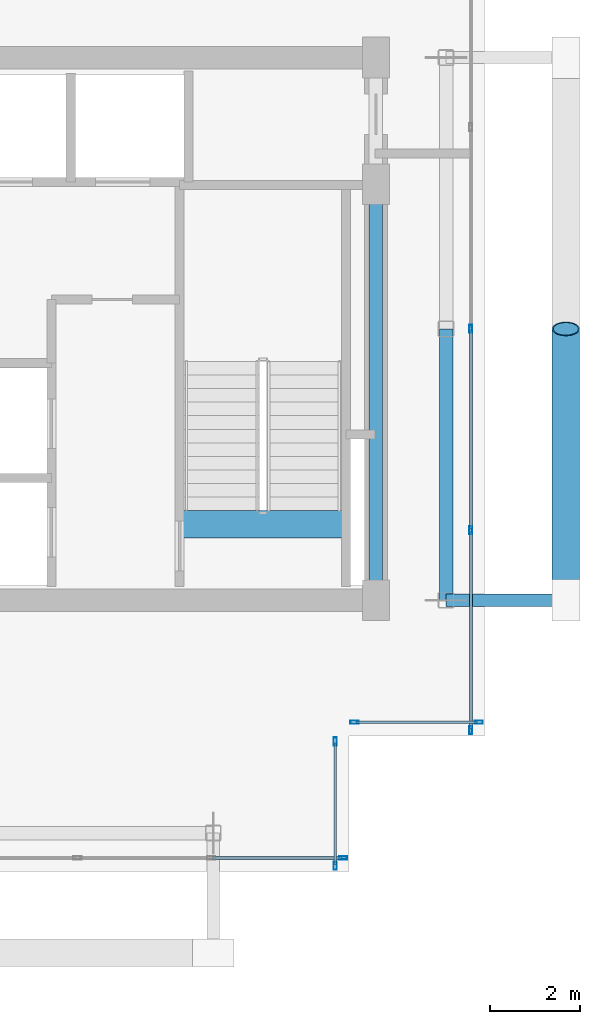
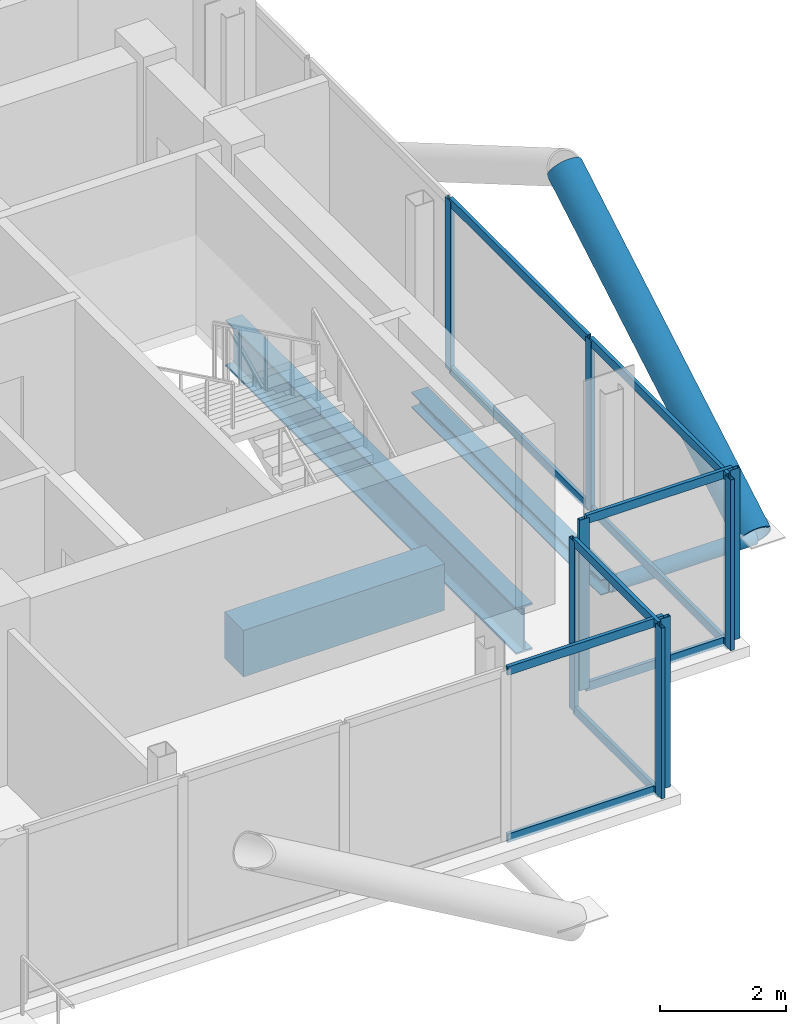
# One storey, part 11 of 18: 20 members, 3 beams, 4 elements without a shape of their own.
"""IFC4 building model written with IfcOpenShell, lengths in metres."""

from ifc_helpers import new_model, si_unit, direction, frame, origin, origin_2d, place, context, subcontext, project, spatial, rectangle, hollow_rectangle, hollow_circle, i_section, extrude, material, layer, layer_set, material_profile, profile_set, type_object, element, aggregate, save


model = new_model("IFC4")

# Units and contexts
model_context = context("Model", 3, precision=1e-05, world=origin(), true_north=direction((0.0, 1.0)))
body_context = subcontext(model_context, "Body", "Model", "MODEL_VIEW")
ifc_project = project(units=[si_unit("LENGTHUNIT", "METRE"), si_unit("AREAUNIT", "SQUARE_METRE"), si_unit("VOLUMEUNIT", "CUBIC_METRE"), si_unit("PLANEANGLEUNIT", "RADIAN"), si_unit("MASSUNIT", "GRAM", prefix="KILO"), si_unit("THERMODYNAMICTEMPERATUREUNIT", "KELVIN"), si_unit("POWERUNIT", "WATT")], contexts=[model_context])

# Site, building, storey
site_placement = place(None, origin())
site = spatial("IfcSite", under=ifc_project, at=site_placement, CompositionType="ELEMENT")
building_placement = place(site_placement, origin())
building = spatial("IfcBuilding", under=site, at=building_placement, Name="Svarakhadi Broadcast Tower", CompositionType="ELEMENT")
storey_placement = place(building_placement, frame((0.0, 0.0, 250.199951171875)))
storey = spatial("IfcBuildingStorey", under=building, at=storey_placement, Name="L62", CompositionType="ELEMENT", Elevation=250.199951171875)

# Curtain wall, members
ifc_material_1 = material(Name="Anodised Bronze Aluminium AA 6063-T6", Category="aluminium")
ifc_layer = layer(ifc_material_1, 0.179931640625)
ifc_layer_set = layer_set([ifc_layer], Name="Anodised Bronze Aluminium AA 6063-T6")
curtain_wall_type = type_object("IfcCurtainWallType", Name="CW_Sys_05", PredefinedType="NOTDEFINED", material=ifc_layer_set)
curtain_wall_1_placement = place(storey_placement, origin())
curtain_wall_1 = element("IfcCurtainWall", 1, at=curtain_wall_1_placement, inside=storey, type_object=curtain_wall_type, Name="L62 Unitised Facade Curtain Wall 13", PredefinedType="NOTDEFINED")
ifc_material_profile_1 = material_profile(ifc_material_1, hollow_rectangle(XDim=0.070068359375, YDim=0.179931640625, WallThickness=0.005615234375, at=origin_2d()), Name="ALU MULLION 180x70x6")
ifc_profile_set_1 = profile_set([ifc_material_profile_1], Name="Anodised Bronze Aluminium AA 6063-T6")
member_type_1 = type_object("IfcMemberType", Name="CW_Sys_05_Mul", PredefinedType="MULLION", material=ifc_profile_set_1)
member_1_placement = place(storey_placement, frame((35.699951171875, 12.0, 0.0), z_axis=(0.0, 0.0, 1.0), x_axis=(1.0, 0.0, 0.0)))
member_1 = element("IfcMember", 2, at=member_1_placement, type_object=member_type_1, Name="CW-05 mullion 3", PredefinedType="MULLION", context=body_context, shape_type="SweptSolid", body=[
    extrude(hollow_rectangle(XDim=0.070068359375, YDim=0.179931640625, WallThickness=0.005615234375, at=origin_2d()), origin(), (0.0, 0.0, 1.0), 3.300048828125),
])
member_2_placement = place(storey_placement, frame((35.699951171875, 7.544921875, 0.0), z_axis=(0.0, 0.0, 1.0), x_axis=(1.0, 0.0, 0.0)))
member_2 = element("IfcMember", 3, at=member_2_placement, type_object=member_type_1, Name="CW-05 mullion 4", PredefinedType="MULLION", context=body_context, shape_type="SweptSolid", body=[
    extrude(hollow_rectangle(XDim=0.070068359375, YDim=0.179931640625, WallThickness=0.005615234375, at=origin_2d()), origin(), (0.0, 0.0, 1.0), 3.300048828125),
])
member_3_placement = place(storey_placement, frame((35.699951171875, 3.125, 0.0), z_axis=(0.0, 0.0, 1.0), x_axis=(1.0, 0.0, 0.0)))
member_3 = element("IfcMember", 4, at=member_3_placement, type_object=member_type_1, Name="CW-05 mullion 5", PredefinedType="MULLION", context=body_context, shape_type="SweptSolid", body=[
    extrude(hollow_rectangle(XDim=0.070068359375, YDim=0.179931640625, WallThickness=0.005615234375, at=origin_2d()), origin(), (0.0, 0.0, 1.0), 3.300048828125),
])

curtain_wall_2_placement = place(storey_placement, origin())
curtain_wall_2 = element("IfcCurtainWall", 5, at=curtain_wall_2_placement, inside=storey, type_object=curtain_wall_type, Name="L62 Unitised Facade Curtain Wall 14", PredefinedType="NOTDEFINED")
member_4_placement = place(storey_placement, frame((35.875, 3.300048828125, 0.0), z_axis=(0.0, 0.0, 1.0), x_axis=(0.0, -1.0, 0.0)))
member_4 = element("IfcMember", 6, at=member_4_placement, type_object=member_type_1, Name="CW-05 mullion 1", PredefinedType="MULLION", context=body_context, shape_type="SweptSolid", body=[
    extrude(hollow_rectangle(XDim=0.070068359375, YDim=0.179931640625, WallThickness=0.005615234375, at=origin_2d()), origin(), (0.0, 0.0, 1.0), 3.300048828125),
])
member_5_placement = place(storey_placement, frame((33.125, 3.300048828125, 0.0), z_axis=(0.0, 0.0, 1.0), x_axis=(0.0, -1.0, 0.0)))
member_5 = element("IfcMember", 7, at=member_5_placement, type_object=member_type_1, Name="CW-05 mullion 2", PredefinedType="MULLION", context=body_context, shape_type="SweptSolid", body=[
    extrude(hollow_rectangle(XDim=0.070068359375, YDim=0.179931640625, WallThickness=0.005615234375, at=origin_2d()), origin(), (0.0, 0.0, 1.0), 3.300048828125),
])

curtain_wall_3_placement = place(storey_placement, origin())
curtain_wall_3 = element("IfcCurtainWall", 8, at=curtain_wall_3_placement, inside=storey, type_object=curtain_wall_type, Name="L62 Unitised Facade Curtain Wall 15", PredefinedType="NOTDEFINED")
member_6_placement = place(storey_placement, frame((32.699951171875, 2.875, 0.0), z_axis=(0.0, 0.0, 1.0), x_axis=(1.0, 0.0, 0.0)))
member_6 = element("IfcMember", 9, at=member_6_placement, type_object=member_type_1, Name="CW-05 mullion 1", PredefinedType="MULLION", context=body_context, shape_type="SweptSolid", body=[
    extrude(hollow_rectangle(XDim=0.070068359375, YDim=0.179931640625, WallThickness=0.005615234375, at=origin_2d()), origin(), (0.0, 0.0, 1.0), 3.300048828125),
])
member_7_placement = place(storey_placement, frame((32.699951171875, 0.125, 0.0), z_axis=(0.0, 0.0, 1.0), x_axis=(1.0, 0.0, 0.0)))
member_7 = element("IfcMember", 10, at=member_7_placement, type_object=member_type_1, Name="CW-05 mullion 2", PredefinedType="MULLION", context=body_context, shape_type="SweptSolid", body=[
    extrude(hollow_rectangle(XDim=0.070068359375, YDim=0.179931640625, WallThickness=0.005615234375, at=origin_2d()), origin(), (0.0, 0.0, 1.0), 3.300048828125),
])

# Curtain wall, member
curtain_wall_4_placement = place(storey_placement, origin())
curtain_wall_4 = element("IfcCurtainWall", 11, at=curtain_wall_4_placement, inside=storey, type_object=curtain_wall_type, Name="L62 South Curtain Wall 16", PredefinedType="NOTDEFINED")
member_8_placement = place(storey_placement, frame((32.875, 0.300048828125, 0.0), z_axis=(0.0, 0.0, 1.0), x_axis=(0.0, -1.0, 0.0)))
member_8 = element("IfcMember", 12, at=member_8_placement, type_object=member_type_1, Name="CW-05 mullion 1", PredefinedType="MULLION", context=body_context, shape_type="SweptSolid", body=[
    extrude(hollow_rectangle(XDim=0.070068359375, YDim=0.179931640625, WallThickness=0.005615234375, at=origin_2d()), origin(), (0.0, 0.0, 1.0), 3.300048828125),
])

# Member
ifc_material_profile_2 = material_profile(ifc_material_1, hollow_rectangle(XDim=0.06494140625, YDim=0.1650390625, WallThickness=0.0048828125, at=origin_2d()), Name="ALU TRANSOM 165x65x5")
ifc_profile_set_2 = profile_set([ifc_material_profile_2], Name="Anodised Bronze Aluminium AA 6063-T6")
member_type_2 = type_object("IfcMemberType", Name="CW_Sys_05_Trn", PredefinedType="USERDEFINED", material=ifc_profile_set_2)
member_9_placement = place(storey_placement, frame((35.699951171875, 11.965087890625, 0.032470703125), z_axis=(0.0, -1.0, 0.0), x_axis=(1.0, 0.0, 0.0)))
member_9 = element("IfcMember", 13, at=member_9_placement, type_object=member_type_2, Name="CW-05 transom 3.1", ObjectType="TRANSOM", PredefinedType="USERDEFINED", context=body_context, shape_type="SweptSolid", body=[
    extrude(hollow_rectangle(XDim=0.06494140625, YDim=0.1650390625, WallThickness=0.0048828125, at=origin_2d()), origin(), (0.0, 0.0, 1.0), 4.385009765625),
])

member_10_placement = place(storey_placement, frame((35.699951171875, 11.965087890625, 3.267578125), z_axis=(0.0, -1.0, 0.0), x_axis=(1.0, 0.0, 0.0)))
member_10 = element("IfcMember", 14, at=member_10_placement, type_object=member_type_2, Name="CW-05 transom 3.2", ObjectType="TRANSOM", PredefinedType="USERDEFINED", context=body_context, shape_type="SweptSolid", body=[
    extrude(hollow_rectangle(XDim=0.06494140625, YDim=0.1650390625, WallThickness=0.0048828125, at=origin_2d()), origin(), (0.0, 0.0, 1.0), 4.385009765625),
])

member_11_placement = place(storey_placement, frame((35.699951171875, 7.510009765625, 0.032470703125), z_axis=(0.0, -1.0, 0.0), x_axis=(1.0, 0.0, 0.0)))
member_11 = element("IfcMember", 15, at=member_11_placement, type_object=member_type_2, Name="CW-05 transom 4.1", ObjectType="TRANSOM", PredefinedType="USERDEFINED", context=body_context, shape_type="SweptSolid", body=[
    extrude(hollow_rectangle(XDim=0.06494140625, YDim=0.1650390625, WallThickness=0.0048828125, at=origin_2d()), origin(), (0.0, 0.0, 1.0), 4.35009765625),
])

member_12_placement = place(storey_placement, frame((35.699951171875, 7.510009765625, 3.267578125), z_axis=(0.0, -1.0, 0.0), x_axis=(1.0, 0.0, 0.0)))
member_12 = element("IfcMember", 16, at=member_12_placement, type_object=member_type_2, Name="CW-05 transom 4.2", ObjectType="TRANSOM", PredefinedType="USERDEFINED", context=body_context, shape_type="SweptSolid", body=[
    extrude(hollow_rectangle(XDim=0.06494140625, YDim=0.1650390625, WallThickness=0.0048828125, at=origin_2d()), origin(), (0.0, 0.0, 1.0), 4.35009765625),
])

aggregate(curtain_wall_1, [member_1, member_2, member_3, member_9, member_10, member_11, member_12])

member_13_placement = place(storey_placement, frame((35.840087890625, 3.300048828125, 0.032470703125), z_axis=(-1.0, 0.0, 0.0), x_axis=(0.0, -1.0, 0.0)))
member_13 = element("IfcMember", 17, at=member_13_placement, type_object=member_type_2, Name="CW-05 transom 1.1", ObjectType="TRANSOM", PredefinedType="USERDEFINED", context=body_context, shape_type="SweptSolid", body=[
    extrude(hollow_rectangle(XDim=0.06494140625, YDim=0.1650390625, WallThickness=0.0048828125, at=origin_2d()), origin(), (0.0, 0.0, 1.0), 2.68017578125),
])

member_14_placement = place(storey_placement, frame((35.840087890625, 3.300048828125, 3.267578125), z_axis=(-1.0, 0.0, 0.0), x_axis=(0.0, -1.0, 0.0)))
member_14 = element("IfcMember", 18, at=member_14_placement, type_object=member_type_2, Name="CW-05 transom 1.2", ObjectType="TRANSOM", PredefinedType="USERDEFINED", context=body_context, shape_type="SweptSolid", body=[
    extrude(hollow_rectangle(XDim=0.06494140625, YDim=0.1650390625, WallThickness=0.0048828125, at=origin_2d()), origin(), (0.0, 0.0, 1.0), 2.68017578125),
])

aggregate(curtain_wall_2, [member_4, member_5, member_13, member_14])

member_15_placement = place(storey_placement, frame((32.699951171875, 2.840087890625, 0.032470703125), z_axis=(0.0, -1.0, 0.0), x_axis=(1.0, 0.0, 0.0)))
member_15 = element("IfcMember", 19, at=member_15_placement, type_object=member_type_2, Name="CW-05 transom 1.1", ObjectType="TRANSOM", PredefinedType="USERDEFINED", context=body_context, shape_type="SweptSolid", body=[
    extrude(hollow_rectangle(XDim=0.06494140625, YDim=0.1650390625, WallThickness=0.0048828125, at=origin_2d()), origin(), (0.0, 0.0, 1.0), 2.68017578125),
])

member_16_placement = place(storey_placement, frame((32.699951171875, 2.840087890625, 3.267578125), z_axis=(0.0, -1.0, 0.0), x_axis=(1.0, 0.0, 0.0)))
member_16 = element("IfcMember", 20, at=member_16_placement, type_object=member_type_2, Name="CW-05 transom 1.2", ObjectType="TRANSOM", PredefinedType="USERDEFINED", context=body_context, shape_type="SweptSolid", body=[
    extrude(hollow_rectangle(XDim=0.06494140625, YDim=0.1650390625, WallThickness=0.0048828125, at=origin_2d()), origin(), (0.0, 0.0, 1.0), 2.68017578125),
])

aggregate(curtain_wall_3, [member_6, member_7, member_15, member_16])

member_17_placement = place(storey_placement, frame((32.840087890625, 0.300048828125, 0.032470703125), z_axis=(-1.0, 0.0, 0.0), x_axis=(0.0, -1.0, 0.0)))
member_17 = element("IfcMember", 21, at=member_17_placement, type_object=member_type_2, Name="CW-05 transom 1.1", ObjectType="TRANSOM", PredefinedType="USERDEFINED", context=body_context, shape_type="SweptSolid", body=[
    extrude(hollow_rectangle(XDim=0.06494140625, YDim=0.1650390625, WallThickness=0.0048828125, at=origin_2d()), origin(), (0.0, 0.0, 1.0), 2.85009765625),
])

member_18_placement = place(storey_placement, frame((32.840087890625, 0.300048828125, 3.267578125), z_axis=(-1.0, 0.0, 0.0), x_axis=(0.0, -1.0, 0.0)))
member_18 = element("IfcMember", 22, at=member_18_placement, type_object=member_type_2, Name="CW-05 transom 1.2", ObjectType="TRANSOM", PredefinedType="USERDEFINED", context=body_context, shape_type="SweptSolid", body=[
    extrude(hollow_rectangle(XDim=0.06494140625, YDim=0.1650390625, WallThickness=0.0048828125, at=origin_2d()), origin(), (0.0, 0.0, 1.0), 2.85009765625),
])

aggregate(curtain_wall_4, [member_8, member_17, member_18])

# Beam
ifc_material_2 = material(Name="Concrete C50/60 (IS 456 M60)", Category="concrete")
ifc_material_profile_3 = material_profile(ifc_material_2, rectangle(XDim=0.60009765625, YDim=0.89990234375, at=origin_2d()), Name="RC 600x900")
ifc_profile_set_3 = profile_set([ifc_material_profile_3], Name="Concrete C50/60 (IS 456 M60)")
beam_type_1 = type_object("IfcBeamType", Name="Coupling_RC600", PredefinedType="USERDEFINED", material=ifc_profile_set_3)
beam_1_placement = place(storey_placement, frame((29.260009765625, 7.679931640625, -0.449951171875), z_axis=(1.0, 0.0, 0.0), x_axis=(0.0, 1.0, 0.0)))
element("IfcBeam", 23, at=beam_1_placement, inside=storey, type_object=beam_type_1, Name="L62 Stair ST-02 Landing Throat Trimmer Beam CB-01", ObjectType="GIRDER", PredefinedType="USERDEFINED", context=body_context, shape_type="SweptSolid", body=[
    extrude(rectangle(XDim=0.60009765625, YDim=0.89990234375, at=origin_2d()), origin(), (0.0, 0.0, 1.0), 3.679931640625),
])

# Members
ifc_material_3 = material(Name="Steel S460ML (IS 2062 E450BR)", Category="steel")
ifc_material_profile_4 = material_profile(ifc_material_3, hollow_circle(Radius=0.304931640625, WallThickness=0.030029296875, at=origin_2d()), Name="CHS 610x30")
ifc_profile_set_4 = profile_set([ifc_material_profile_4], Name="Steel S460ML (IS 2062 E450BR)")
member_type_3 = type_object("IfcMemberType", Name="Exo_Brace_CHS610", PredefinedType="BRACE", material=ifc_profile_set_4)
member_19_placement = place(storey_placement, frame((37.800048828125, 6.0, -0.33642578125), z_axis=(0.0, 0.863778900898, 0.503871025524), x_axis=(-1.0, 0.0, 0.0)))
element("IfcMember", 24, at=member_19_placement, inside=storey, type_object=member_type_3, Name="L62 Exposed Bronze Exoskeleton Diagonal E02", PredefinedType="BRACE", context=body_context, shape_type="SweptSolid", body=[
    extrude(hollow_circle(Radius=0.304931640625, WallThickness=0.030029296875, at=origin_2d()), origin(), (0.0, 0.0, 1.0), 6.9462890625),
])
ifc_material_profile_5 = material_profile(ifc_material_3, hollow_circle(Radius=0.136474609375, WallThickness=0.012451171875, at=origin_2d()), Name="CHS 273x12.5")
ifc_profile_set_5 = profile_set([ifc_material_profile_5], Name="Steel S460ML (IS 2062 E450BR)")
member_type_4 = type_object("IfcMemberType", Name="Exo_Radial_Strut_Z3", PredefinedType="STRUT", material=ifc_profile_set_5)
member_20_placement = place(storey_placement, frame((37.800048828125, 6.0, -0.33642578125), z_axis=(-1.0, 0.0, 0.0), x_axis=(0.0, -1.0, 0.0)))
element("IfcMember", 25, at=member_20_placement, inside=storey, type_object=member_type_4, Name="L62 Exoskeleton Radial Tie Strut E05", PredefinedType="STRUT", context=body_context, shape_type="SweptSolid", body=[
    extrude(hollow_circle(Radius=0.136474609375, WallThickness=0.012451171875, at=origin_2d()), origin(), (0.0, 0.0, 1.0), 2.650146484375),
])

# Beams
ifc_material_4 = material(Name="Steel S355J2 (IS 2062 E350C)", Category="steel")
ifc_material_profile_6 = material_profile(ifc_material_4, i_section(OverallWidth=0.300048828125, OverallDepth=0.300048828125, WebThickness=0.010986328125, FlangeThickness=0.01904296875, FilletRadius=0.027099609375, at=origin_2d()), Name="WPB 300x300x117")
ifc_profile_set_6 = profile_set([ifc_material_profile_6], Name="Steel S355J2 (IS 2062 E350C)")
beam_type_2 = type_object("IfcBeamType", Name="Girder_WPB300", PredefinedType="USERDEFINED", material=ifc_profile_set_6)
beam_2_placement = place(storey_placement, frame((35.14990234375, 6.0, -0.349853515625), z_axis=(0.0, 1.0, 0.0), x_axis=(-1.0, 0.0, 0.0)))
element("IfcBeam", 26, at=beam_2_placement, inside=storey, type_object=beam_type_2, Name="L62 Primary N-S Girder G045", ObjectType="GIRDER", PredefinedType="USERDEFINED", context=body_context, shape_type="SweptSolid", body=[
    extrude(i_section(OverallWidth=0.300048828125, OverallDepth=0.300048828125, WebThickness=0.010986328125, FlangeThickness=0.01904296875, FilletRadius=0.027099609375, at=origin_2d()), origin(), (0.0, 0.0, 1.0), 6.0),
])
ifc_material_profile_7 = material_profile(ifc_material_3, i_section(OverallWidth=0.300048828125, OverallDepth=0.89990234375, WebThickness=0.0185546875, FlangeThickness=0.034912109375, FilletRadius=0.030029296875, at=origin_2d()), Name="WPB 900x300x291")
ifc_profile_set_7 = profile_set([ifc_material_profile_7], Name="Steel S460ML (IS 2062 E450BR)")
beam_type_3 = type_object("IfcBeamType", Name="Girder_WPB900", PredefinedType="USERDEFINED", material=ifc_profile_set_7)
beam_3_placement = place(storey_placement, frame((33.60009765625, 6.0, -0.64990234375), z_axis=(0.0, 1.0, 0.0), x_axis=(-1.0, 0.0, 0.0)))
element("IfcBeam", 27, at=beam_3_placement, inside=storey, type_object=beam_type_3, Name="L62 Primary N-S Girder G043", ObjectType="GIRDER", PredefinedType="USERDEFINED", context=body_context, shape_type="SweptSolid", body=[
    extrude(i_section(OverallWidth=0.300048828125, OverallDepth=0.89990234375, WebThickness=0.0185546875, FlangeThickness=0.034912109375, FilletRadius=0.030029296875, at=origin_2d()), origin(), (0.0, 0.0, 1.0), 9.199951171875),
])

save(model, "model.ifc")
